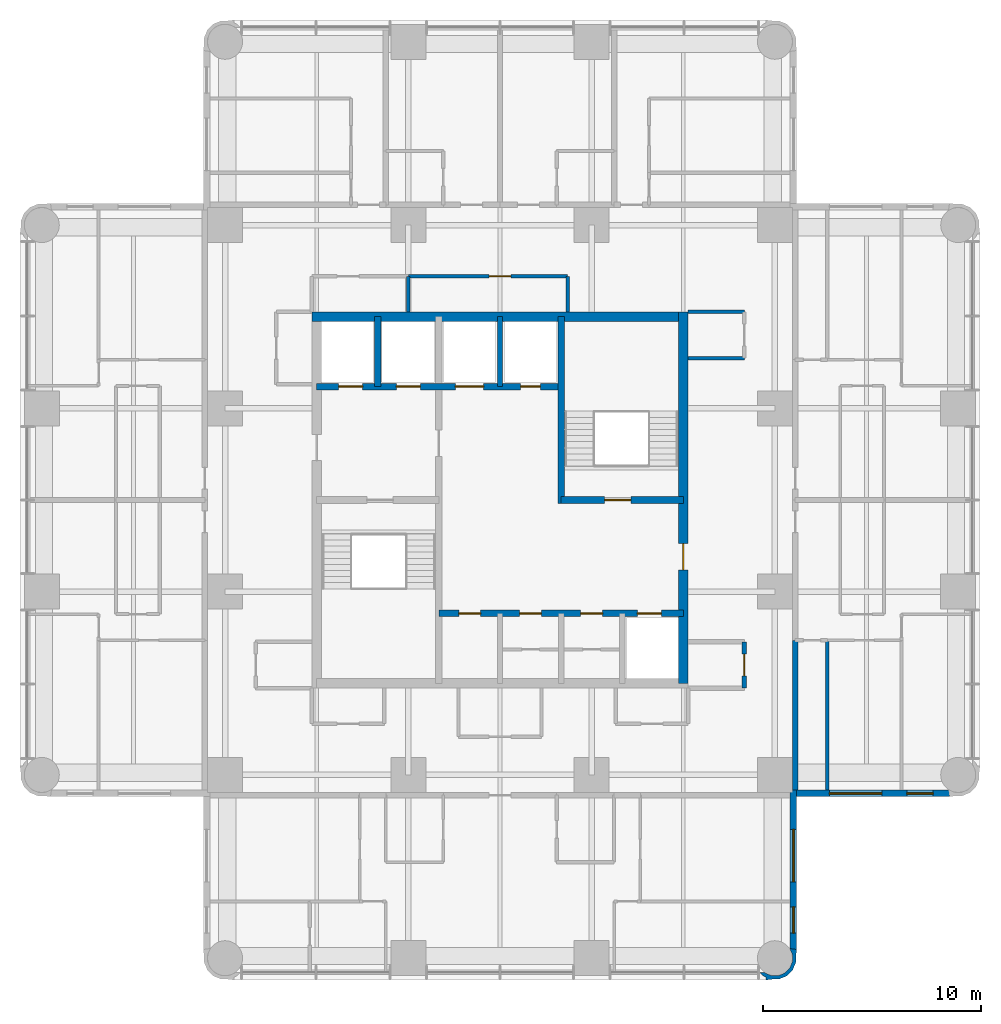
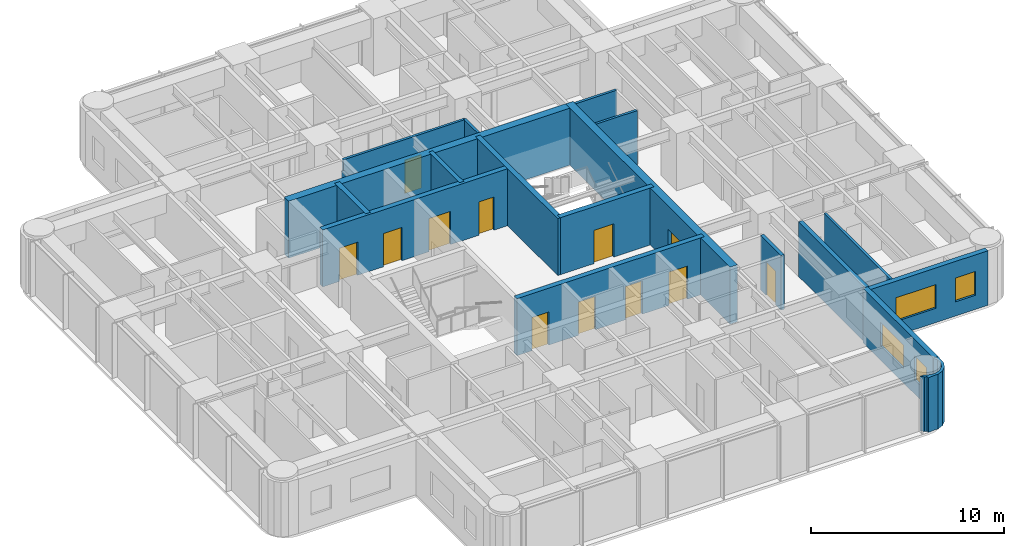
# One storey, part 6 of 10: 19 walls, 12 doors, 4 windows, 16 openings.
"""IFC4 building model written with IfcOpenShell, lengths in metres."""

from ifc_helpers import new_model, si_unit, direction, frame, frame_2d, origin, place, context, subcontext, project, spatial, polyline, rectangle, outline, extrude, material, layer, layer_set, type_object, element, fill, save


model = new_model("IFC4")

# Units and contexts
model_context = context("Model", 3, precision=1e-05, world=origin(), true_north=direction((0.0, 1.0)))
body_context = subcontext(model_context, "Body", "Model", "MODEL_VIEW")
ifc_project = project(units=[si_unit("LENGTHUNIT", "METRE"), si_unit("AREAUNIT", "SQUARE_METRE"), si_unit("VOLUMEUNIT", "CUBIC_METRE"), si_unit("PLANEANGLEUNIT", "RADIAN"), si_unit("MASSUNIT", "GRAM", prefix="KILO")], contexts=[model_context])

# Site, building, storey
site_placement = place(None, origin())
site = spatial("IfcSite", under=ifc_project, at=site_placement, CompositionType="ELEMENT")
building_placement = place(site_placement, origin())
building = spatial("IfcBuilding", under=site, at=building_placement, Name="Torre Alcanfor", CompositionType="ELEMENT")
storey_placement = place(building_placement, frame((0.0, 0.0, 257.699951171875)))
storey = spatial("IfcBuildingStorey", under=building, at=storey_placement, Name="L67", CompositionType="ELEMENT", Elevation=257.699951171875)

# Wall
ifc_material_1 = material(Name="Concrete block masonry, hollow blocks NMX-C-404 9 MPa", Category="masonry")
ifc_layer_1 = layer(ifc_material_1, 0.25)
ifc_layer_set_1 = layer_set([ifc_layer_1], Name="Apartment entrance wall 250 EI 60")
wall_type_1 = type_object("IfcWallType", Name="Apartment entrance wall 250 EI 60", PredefinedType="PARTITIONING", material=ifc_layer_set_1)
wall_1_placement = place(storey_placement, frame((42.925048828125, 22.970947265625, 0.0), z_axis=(0.0, 0.0, 1.0), x_axis=(0.0, -1.0, 0.0)))
element("IfcWall", 1, at=wall_1_placement, inside=storey, type_object=wall_type_1, Name="Partition L67-CORR / L67-E2-BATH", PredefinedType="PARTITIONING", context=body_context, shape_type="SweptSolid", body=[
    extrude(rectangle(XDim=6.870849609375, YDim=0.25, at=frame_2d((3.435546875, 0.0))), origin(), (0.0, 0.0, 1.0), 3.449951171875),
])

# Wall, openings, doors
ifc_material_2 = material(Name="Concrete f'c 70 MPa", Category="concrete")
ifc_layer_2 = layer(ifc_material_2, 0.300048828125)
ifc_layer_set_2 = layer_set([ifc_layer_2], Name="Core inner wall 300 f'c70")
wall_type_2 = type_object("IfcWallType", Name="Core inner wall 300 f'c70", PredefinedType="SHEAR", material=ifc_layer_set_2)
wall_2_placement = place(storey_placement, frame((21.0, 34.60009765625, 0.0), z_axis=(0.0, 0.0, 1.0), x_axis=(1.0, 0.0, 0.0)))
wall_2 = element("IfcWall", 2, at=wall_2_placement, inside=storey, type_object=wall_type_2, Name="Core wall Y346 L67", PredefinedType="SHEAR", context=body_context, shape_type="SweptSolid", body=[
    extrude(rectangle(XDim=11.199951171875, YDim=0.300048828125, at=frame_2d((5.60009765625, 0.0))), origin(), (0.0, 0.0, 1.0), 3.60009765625),
])
opening_1_placement = place(wall_2_placement, frame((9.35009765625, 0.0, 0.0)))
opening_1 = element("IfcOpeningElement", 3, at=opening_1_placement, cuts=wall_2, Name="Opening D-Q1", PredefinedType="OPENING", context=body_context, shape_type="SweptSolid", body=[
    extrude(rectangle(XDim=0.89990234375, YDim=2.10009765625, at=frame_2d((0.449951171875, 1.050048828125))), frame((0.0, 0.159912109375, 0.0), z_axis=(0.0, -1.0, 0.0), x_axis=(1.0, 0.0, 0.0)), (0.0, 0.0, 1.0), 0.320068359375),
])
opening_2_placement = place(wall_2_placement, frame((1.0, 0.0, 0.0)))
opening_2 = element("IfcOpeningElement", 4, at=opening_2_placement, cuts=wall_2, Name="Opening LD2", PredefinedType="OPENING", context=body_context, shape_type="SweptSolid", body=[
    extrude(rectangle(XDim=1.10009765625, YDim=2.10009765625, at=frame_2d((0.550048828125, 1.050048828125))), frame((0.0, 0.159912109375, 0.0), z_axis=(0.0, -1.0, 0.0), x_axis=(1.0, 0.0, 0.0)), (0.0, 0.0, 1.0), 0.320068359375),
])
opening_3_placement = place(wall_2_placement, frame((3.64990234375, 0.0, 0.0)))
opening_3 = element("IfcOpeningElement", 5, at=opening_3_placement, cuts=wall_2, Name="Opening LD2", PredefinedType="OPENING", context=body_context, shape_type="SweptSolid", body=[
    extrude(rectangle(XDim=1.10009765625, YDim=2.10009765625, at=frame_2d((0.550048828125, 1.050048828125))), frame((0.0, 0.159912109375, 0.0), z_axis=(0.0, -1.0, 0.0), x_axis=(1.0, 0.0, 0.0)), (0.0, 0.0, 1.0), 0.320068359375),
])
opening_4_placement = place(wall_2_placement, frame((6.35009765625, 0.0, 0.0)))
opening_4 = element("IfcOpeningElement", 6, at=opening_4_placement, cuts=wall_2, Name="Opening LD3", PredefinedType="OPENING", context=body_context, shape_type="SweptSolid", body=[
    extrude(rectangle(XDim=1.300048828125, YDim=2.10009765625, at=frame_2d((0.64990234375, 1.050048828125))), frame((0.0, 0.159912109375, 0.0), z_axis=(0.0, -1.0, 0.0), x_axis=(1.0, 0.0, 0.0)), (0.0, 0.0, 1.0), 0.320068359375),
])
ifc_material_3 = material(Name="Galvanised steel sheet ASTM A653", Category="steel")
door_type_1 = type_object("IfcDoorType", Name="Firefighting lift landing door 1100x2100", OperationType="DOUBLE_DOOR_SLIDING", PredefinedType="DOOR", material=ifc_material_3)
door_1_placement = place(opening_2_placement, origin())
door_1 = element("IfcDoor", 7, at=door_1_placement, inside=storey, type_object=door_type_1, Name="Lift landing door FL1 L67", OperationType="DOUBLE_DOOR_SLIDING", OverallHeight=2.10009765625, OverallWidth=1.10009765625, PredefinedType="DOOR", context=body_context, shape_type="SweptSolid", body=[
    extrude(rectangle(XDim=1.10009765625, YDim=2.10009765625, at=frame_2d((0.550048828125, 1.050048828125))), frame((0.0, 0.02490234375, 0.0), z_axis=(0.0, -1.0, 0.0), x_axis=(1.0, 0.0, 0.0)), (0.0, 0.0, 1.0), 0.050048828125),
])
fill(opening_2, door_1)
door_2_placement = place(opening_3_placement, origin())
door_2 = element("IfcDoor", 8, at=door_2_placement, inside=storey, type_object=door_type_1, Name="Lift landing door FL2 L67", OperationType="DOUBLE_DOOR_SLIDING", OverallHeight=2.10009765625, OverallWidth=1.10009765625, PredefinedType="DOOR", context=body_context, shape_type="SweptSolid", body=[
    extrude(rectangle(XDim=1.10009765625, YDim=2.10009765625, at=frame_2d((0.550048828125, 1.050048828125))), frame((0.0, 0.02490234375, 0.0), z_axis=(0.0, -1.0, 0.0), x_axis=(1.0, 0.0, 0.0)), (0.0, 0.0, 1.0), 0.050048828125),
])
fill(opening_3, door_2)
ifc_material_4 = material(Name="Galvanised steel sheet ASTM A653", Category="steel")
door_type_2 = type_object("IfcDoorType", Name="Riser access door FD120 900x2100", OperationType="SINGLE_SWING_LEFT", PredefinedType="DOOR", material=ifc_material_4)
door_3_placement = place(opening_1_placement, origin())
door_3 = element("IfcDoor", 9, at=door_3_placement, inside=storey, type_object=door_type_2, Name="Riser door L67", OperationType="SINGLE_SWING_LEFT", OverallHeight=2.10009765625, OverallWidth=0.89990234375, PredefinedType="DOOR", context=body_context, shape_type="SweptSolid", body=[
    extrude(rectangle(XDim=0.89990234375, YDim=2.10009765625, at=frame_2d((0.449951171875, 1.050048828125))), frame((0.0, 0.02490234375, 0.0), z_axis=(0.0, -1.0, 0.0), x_axis=(1.0, 0.0, 0.0)), (0.0, 0.0, 1.0), 0.050048828125),
])
fill(opening_1, door_3)
ifc_material_5 = material(Name="Galvanised steel sheet ASTM A653", Category="steel")
door_type_3 = type_object("IfcDoorType", Name="Service lift landing door 1300x2100", OperationType="DOUBLE_DOOR_SLIDING", PredefinedType="DOOR", material=ifc_material_5)
door_4_placement = place(opening_4_placement, origin())
door_4 = element("IfcDoor", 10, at=door_4_placement, inside=storey, type_object=door_type_3, Name="Lift landing door SL1 L67", OperationType="DOUBLE_DOOR_SLIDING", OverallHeight=2.10009765625, OverallWidth=1.300048828125, PredefinedType="DOOR", context=body_context, shape_type="SweptSolid", body=[
    extrude(rectangle(XDim=1.300048828125, YDim=2.10009765625, at=frame_2d((0.64990234375, 1.050048828125))), frame((0.0, 0.02490234375, 0.0), z_axis=(0.0, -1.0, 0.0), x_axis=(1.0, 0.0, 0.0)), (0.0, 0.0, 1.0), 0.050048828125),
])
fill(opening_4, door_4)

# Wall
wall_3_placement = place(storey_placement, frame((23.800048828125, 34.60009765625, 0.0), z_axis=(0.0, 0.0, 1.0), x_axis=(0.0, 1.0, 0.0)))
element("IfcWall", 11, at=wall_3_placement, inside=storey, type_object=wall_type_2, Name="Core wall X238 L67", PredefinedType="SHEAR", context=body_context, shape_type="SweptSolid", body=[
    extrude(rectangle(XDim=3.199951171875, YDim=0.300048828125, at=frame_2d((1.60009765625, 0.0))), origin(), (0.0, 0.0, 1.0), 3.60009765625),
])

# Wall, openings, doors
wall_4_placement = place(storey_placement, frame((26.60009765625, 24.199951171875, 0.0), z_axis=(0.0, 0.0, 1.0), x_axis=(1.0, 0.0, 0.0)))
wall_4 = element("IfcWall", 12, at=wall_4_placement, inside=storey, type_object=wall_type_2, Name="Core wall Y242 L67", PredefinedType="SHEAR", context=body_context, shape_type="SweptSolid", body=[
    extrude(rectangle(XDim=11.199951171875, YDim=0.300048828125, at=frame_2d((5.60009765625, 0.0))), origin(), (0.0, 0.0, 1.0), 3.60009765625),
])
opening_5_placement = place(wall_4_placement, frame((0.91259765625, 0.0, 0.0)))
opening_5 = element("IfcOpeningElement", 13, at=opening_5_placement, cuts=wall_4, Name="Opening D-K1", PredefinedType="OPENING", context=body_context, shape_type="SweptSolid", body=[
    extrude(rectangle(XDim=1.0, YDim=2.10009765625, at=frame_2d((0.5, 1.050048828125))), frame((0.0, 0.159912109375, 0.0), z_axis=(0.0, -1.0, 0.0), x_axis=(1.0, 0.0, 0.0)), (0.0, 0.0, 1.0), 0.320068359375),
])
opening_6_placement = place(wall_4_placement, frame((3.699951171875, 0.0, 0.0)))
opening_6 = element("IfcOpeningElement", 14, at=opening_6_placement, cuts=wall_4, Name="Opening D-K1", PredefinedType="OPENING", context=body_context, shape_type="SweptSolid", body=[
    extrude(rectangle(XDim=1.0, YDim=2.10009765625, at=frame_2d((0.5, 1.050048828125))), frame((0.0, 0.159912109375, 0.0), z_axis=(0.0, -1.0, 0.0), x_axis=(1.0, 0.0, 0.0)), (0.0, 0.0, 1.0), 0.320068359375),
])
opening_7_placement = place(wall_4_placement, frame((6.5, 0.0, 0.0)))
opening_7 = element("IfcOpeningElement", 15, at=opening_7_placement, cuts=wall_4, Name="Opening D-K1", PredefinedType="OPENING", context=body_context, shape_type="SweptSolid", body=[
    extrude(rectangle(XDim=1.0, YDim=2.10009765625, at=frame_2d((0.5, 1.050048828125))), frame((0.0, 0.159912109375, 0.0), z_axis=(0.0, -1.0, 0.0), x_axis=(1.0, 0.0, 0.0)), (0.0, 0.0, 1.0), 0.320068359375),
])
opening_8_placement = place(wall_4_placement, frame((9.10009765625, 0.0, 0.0)))
opening_8 = element("IfcOpeningElement", 16, at=opening_8_placement, cuts=wall_4, Name="Opening LD1", PredefinedType="OPENING", context=body_context, shape_type="SweptSolid", body=[
    extrude(rectangle(XDim=1.10009765625, YDim=2.10009765625, at=frame_2d((0.550048828125, 1.050048828125))), frame((0.0, 0.159912109375, 0.0), z_axis=(0.0, -1.0, 0.0), x_axis=(1.0, 0.0, 0.0)), (0.0, 0.0, 1.0), 0.320068359375),
])
ifc_material_6 = material(Name="Galvanised steel sheet ASTM A653", Category="steel")
door_type_4 = type_object("IfcDoorType", Name="Core room door FD60 1000x2100", OperationType="SINGLE_SWING_LEFT", PredefinedType="DOOR", material=ifc_material_6)
door_5_placement = place(opening_5_placement, frame((1.0, 0.0, 0.0), z_axis=(0.0, 0.0, 1.0), x_axis=(-1.0, 0.0, 0.0)))
door_5 = element("IfcDoor", 17, at=door_5_placement, inside=storey, type_object=door_type_4, Name="Housekeeping store door L67", OperationType="SINGLE_SWING_RIGHT", OverallHeight=2.10009765625, OverallWidth=1.0, PredefinedType="DOOR", context=body_context, shape_type="SweptSolid", body=[
    extrude(rectangle(XDim=1.0, YDim=2.10009765625, at=frame_2d((0.5, 1.050048828125))), frame((0.0, 0.025146484375, 0.0), z_axis=(0.0, -1.0, 0.0), x_axis=(1.0, 0.0, 0.0)), (0.0, 0.0, 1.0), 0.050048828125),
])
fill(opening_5, door_5)
door_6_placement = place(opening_6_placement, frame((1.0, 0.0, 0.0), z_axis=(0.0, 0.0, 1.0), x_axis=(-1.0, 0.0, 0.0)))
door_6 = element("IfcDoor", 18, at=door_6_placement, inside=storey, type_object=door_type_4, Name="Staff WC door L67", OperationType="SINGLE_SWING_RIGHT", OverallHeight=2.10009765625, OverallWidth=1.0, PredefinedType="DOOR", context=body_context, shape_type="SweptSolid", body=[
    extrude(rectangle(XDim=1.0, YDim=2.10009765625, at=frame_2d((0.5, 1.050048828125))), frame((0.0, 0.025146484375, 0.0), z_axis=(0.0, -1.0, 0.0), x_axis=(1.0, 0.0, 0.0)), (0.0, 0.0, 1.0), 0.050048828125),
])
fill(opening_6, door_6)
door_7_placement = place(opening_7_placement, frame((1.0, 0.0, 0.0), z_axis=(0.0, 0.0, 1.0), x_axis=(-1.0, 0.0, 0.0)))
door_7 = element("IfcDoor", 19, at=door_7_placement, inside=storey, type_object=door_type_4, Name="Residents' storage door L67", OperationType="SINGLE_SWING_RIGHT", OverallHeight=2.10009765625, OverallWidth=1.0, PredefinedType="DOOR", context=body_context, shape_type="SweptSolid", body=[
    extrude(rectangle(XDim=1.0, YDim=2.10009765625, at=frame_2d((0.5, 1.050048828125))), frame((0.0, 0.025146484375, 0.0), z_axis=(0.0, -1.0, 0.0), x_axis=(1.0, 0.0, 0.0)), (0.0, 0.0, 1.0), 0.050048828125),
])
fill(opening_7, door_7)
ifc_material_7 = material(Name="Galvanised steel sheet ASTM A653", Category="steel")
door_type_5 = type_object("IfcDoorType", Name="Lift landing door 1100x2100", OperationType="DOUBLE_DOOR_SLIDING", PredefinedType="DOOR", material=ifc_material_7)
door_8_placement = place(opening_8_placement, origin())
door_8 = element("IfcDoor", 20, at=door_8_placement, inside=storey, type_object=door_type_5, Name="Lift landing door PA4 L67", OperationType="DOUBLE_DOOR_SLIDING", OverallHeight=2.10009765625, OverallWidth=1.10009765625, PredefinedType="DOOR", context=body_context, shape_type="SweptSolid", body=[
    extrude(rectangle(XDim=1.10009765625, YDim=2.10009765625, at=frame_2d((0.550048828125, 1.050048828125))), frame((0.0, 0.02490234375, 0.0), z_axis=(0.0, -1.0, 0.0), x_axis=(1.0, 0.0, 0.0)), (0.0, 0.0, 1.0), 0.050048828125),
])
fill(opening_8, door_8)

# Wall
wall_5_placement = place(storey_placement, frame((32.199951171875, 29.25, 0.0), z_axis=(0.0, 0.0, 1.0), x_axis=(0.0, 1.0, 0.0)))
element("IfcWall", 21, at=wall_5_placement, inside=storey, type_object=wall_type_2, Name="Core wall X322N L67", PredefinedType="SHEAR", context=body_context, shape_type="SweptSolid", body=[
    extrude(rectangle(XDim=8.550048828125, YDim=0.300048828125, at=frame_2d((4.27490234375, 0.0))), origin(), (0.0, 0.0, 1.0), 3.60009765625),
])

# Wall, opening, door
wall_6_placement = place(storey_placement, frame((32.199951171875, 29.39990234375, 0.0), z_axis=(0.0, 0.0, 1.0), x_axis=(1.0, 0.0, 0.0)))
wall_6 = element("IfcWall", 22, at=wall_6_placement, inside=storey, type_object=wall_type_2, Name="Core wall Y294E L67", PredefinedType="SHEAR", context=body_context, shape_type="SweptSolid", body=[
    extrude(rectangle(XDim=5.60009765625, YDim=0.300048828125, at=frame_2d((2.800048828125, 0.0))), origin(), (0.0, 0.0, 1.0), 3.60009765625),
])
opening_9_placement = place(wall_6_placement, frame((2.0, 0.0, 0.0)))
opening_9 = element("IfcOpeningElement", 23, at=opening_9_placement, cuts=wall_6, Name="Opening D-S2", PredefinedType="OPENING", context=body_context, shape_type="SweptSolid", body=[
    extrude(rectangle(XDim=1.199951171875, YDim=2.10009765625, at=frame_2d((0.60009765625, 1.050048828125))), frame((0.0, 0.159912109375, 0.0), z_axis=(0.0, -1.0, 0.0), x_axis=(1.0, 0.0, 0.0)), (0.0, 0.0, 1.0), 0.320068359375),
])
ifc_material_8 = material(Name="Galvanised steel sheet ASTM A653", Category="steel")
door_type_6 = type_object("IfcDoorType", Name="Stair enclosure door FD120 1200x2100", OperationType="SINGLE_SWING_LEFT", PredefinedType="DOOR", material=ifc_material_8)
door_9_placement = place(opening_9_placement, origin())
door_9 = element("IfcDoor", 24, at=door_9_placement, inside=storey, type_object=door_type_6, Name="Stair S2 door L67", OperationType="SINGLE_SWING_LEFT", OverallHeight=2.10009765625, OverallWidth=1.199951171875, PredefinedType="DOOR", context=body_context, shape_type="SweptSolid", body=[
    extrude(rectangle(XDim=1.199951171875, YDim=2.10009765625, at=frame_2d((0.60009765625, 1.050048828125))), frame((0.0, 0.02490234375, 0.0), z_axis=(0.0, -1.0, 0.0), x_axis=(1.0, 0.0, 0.0)), (0.0, 0.0, 1.0), 0.050048828125),
])
fill(opening_9, door_9)

# Wall
ifc_material_9 = material(Name="Concrete f'c 70 MPa", Category="concrete")
ifc_layer_3 = layer(ifc_material_9, 0.25)
ifc_layer_set_3 = layer_set([ifc_layer_3], Name="Core shaft wall 250 f'c70")
wall_type_3 = type_object("IfcWallType", Name="Core shaft wall 250 f'c70", PredefinedType="SHEAR", material=ifc_layer_set_3)
wall_7_placement = place(storey_placement, frame((29.39990234375, 34.60009765625, 0.0), z_axis=(0.0, 0.0, 1.0), x_axis=(0.0, 1.0, 0.0)))
element("IfcWall", 25, at=wall_7_placement, inside=storey, type_object=wall_type_3, Name="Core wall X294N L67", PredefinedType="SHEAR", context=body_context, shape_type="SweptSolid", body=[
    extrude(rectangle(XDim=3.199951171875, YDim=0.25, at=frame_2d((1.60009765625, 0.0))), origin(), (0.0, 0.0, 1.0), 3.60009765625),
])

# Wall, opening, door
ifc_material_10 = material(Name="Concrete f'c 70 MPa", Category="concrete")
ifc_layer_4 = layer(ifc_material_10, 0.449951171875)
ifc_layer_set_4 = layer_set([ifc_layer_4], Name="Core wall 450 f'c70")
wall_type_4 = type_object("IfcWallType", Name="Core wall 450 f'c70", PredefinedType="SHEAR", material=ifc_layer_set_4)
wall_8_placement = place(storey_placement, frame((37.800048828125, 21.0, 0.0), z_axis=(0.0, 0.0, 1.0), x_axis=(0.0, 1.0, 0.0)))
wall_8 = element("IfcWall", 26, at=wall_8_placement, inside=storey, type_object=wall_type_4, Name="Core wall OUT-E L67", PredefinedType="SHEAR", context=body_context, shape_type="SweptSolid", body=[
    extrude(rectangle(XDim=17.02490234375, YDim=0.449951171875, at=frame_2d((8.512451171875, 0.0))), origin(), (0.0, 0.0, 1.0), 3.60009765625),
])
opening_10_placement = place(wall_8_placement, frame((5.199951171875, 0.0, 0.0)))
opening_10 = element("IfcOpeningElement", 27, at=opening_10_placement, cuts=wall_8, Name="Opening D-L1", PredefinedType="OPENING", context=body_context, shape_type="SweptSolid", body=[
    extrude(rectangle(XDim=1.199951171875, YDim=2.10009765625, at=frame_2d((0.60009765625, 1.050048828125))), frame((0.0, 0.23486328125, 0.0), z_axis=(0.0, -1.0, 0.0), x_axis=(1.0, 0.0, 0.0)), (0.0, 0.0, 1.0), 0.469970703125),
])
ifc_material_11 = material(Name="Galvanised steel sheet ASTM A653", Category="steel")
door_type_7 = type_object("IfcDoorType", Name="Lobby door FD120 1200x2100", OperationType="SINGLE_SWING_LEFT", PredefinedType="DOOR", material=ifc_material_11)
door_10_placement = place(opening_10_placement, origin())
door_10 = element("IfcDoor", 28, at=door_10_placement, inside=storey, type_object=door_type_7, Name="Lift lobby entrance door L67", OperationType="SINGLE_SWING_LEFT", OverallHeight=2.10009765625, OverallWidth=1.199951171875, PredefinedType="DOOR", context=body_context, shape_type="SweptSolid", body=[
    extrude(rectangle(XDim=1.199951171875, YDim=2.10009765625, at=frame_2d((0.60009765625, 1.050048828125))), frame((0.0, 0.02490234375, 0.0), z_axis=(0.0, -1.0, 0.0), x_axis=(1.0, 0.0, 0.0)), (0.0, 0.0, 1.0), 0.050048828125),
])
fill(opening_10, door_10)

# Wall
wall_9_placement = place(storey_placement, frame((37.800048828125, 37.800048828125, 0.0), z_axis=(0.0, 0.0, 1.0), x_axis=(-1.0, 0.0, 0.0)))
element("IfcWall", 29, at=wall_9_placement, inside=storey, type_object=wall_type_4, Name="Core wall OUT-N L67", PredefinedType="SHEAR", context=body_context, shape_type="SweptSolid", body=[
    extrude(rectangle(XDim=17.025146484375, YDim=0.449951171875, at=frame_2d((8.5126953125, 0.0))), origin(), (0.0, 0.0, 1.0), 3.60009765625),
])

# Wall, openings, windows
ifc_material_12 = material(Name="Limestone cladding", Category="masonry")
ifc_layer_5 = layer(ifc_material_12, 0.0400390625, Name="Facing")
ifc_material_13 = material(Name="Ventilated air cavity")
ifc_layer_6 = layer(ifc_material_13, 0.02001953125, ventilated=True, Name="Ventilated joint")
ifc_material_14 = material(Name="Mineral wool insulation", Category="insulation")
ifc_layer_7 = layer(ifc_material_14, 0.10009765625, Name="Insulation")
ifc_material_15 = material(Name="Concrete f'c 35 MPa", Category="concrete")
ifc_layer_8 = layer(ifc_material_15, 0.139892578125, Name="Backing")
ifc_layer_set_5 = layer_set([ifc_layer_5, ifc_layer_6, ifc_layer_7, ifc_layer_8], Name="External wall stone-clad 300")
wall_type_5 = type_object("IfcWallType", Name="External wall stone-clad 300", PredefinedType="SOLIDWALL", material=ifc_layer_set_5)
wall_10_placement = place(storey_placement, frame((42.85009765625, 8.800048828125, 0.0), z_axis=(0.0, 0.0, 1.0), x_axis=(0.0, 1.0, 0.0)))
wall_10 = element("IfcWall", 30, at=wall_10_placement, inside=storey, type_object=wall_type_5, Name="External wall L67 6", PredefinedType="SOLIDWALL", context=body_context, shape_type="SweptSolid", body=[
    extrude(rectangle(XDim=7.300048828125, YDim=0.300048828125, at=frame_2d((3.64990234375, 0.0))), origin(), (0.0, 0.0, 1.0), 3.449951171875),
])
opening_11_placement = place(wall_10_placement, frame((3.10009765625, 0.0, 0.89990234375)))
opening_11 = element("IfcOpeningElement", 31, at=opening_11_placement, cuts=wall_10, Name="Opening W1", PredefinedType="OPENING", context=body_context, shape_type="SweptSolid", body=[
    extrude(rectangle(XDim=2.39990234375, YDim=1.5, at=frame_2d((1.199951171875, 0.75))), frame((0.0, 0.159912109375, 0.0), z_axis=(0.0, -1.0, 0.0), x_axis=(1.0, 0.0, 0.0)), (0.0, 0.0, 1.0), 0.320068359375),
])
opening_12_placement = place(wall_10_placement, frame((0.75, 0.0, 0.89990234375)))
opening_12 = element("IfcOpeningElement", 32, at=opening_12_placement, cuts=wall_10, Name="Opening W4", PredefinedType="OPENING", context=body_context, shape_type="SweptSolid", body=[
    extrude(rectangle(XDim=1.199951171875, YDim=1.5, at=frame_2d((0.60009765625, 0.75))), frame((0.0, 0.159912109375, 0.0), z_axis=(0.0, -1.0, 0.0), x_axis=(1.0, 0.0, 0.0)), (0.0, 0.0, 1.0), 0.320068359375),
])
ifc_material_16 = material(Name="Aluminium frame with clear double glazing", Category="aluminium")
window_type_1 = type_object("IfcWindowType", Name="Window bedroom 1200x1500", PartitioningType="SINGLE_PANEL", PredefinedType="WINDOW", material=ifc_material_16)
window_1_placement = place(opening_12_placement, origin())
window_1 = element("IfcWindow", 33, at=window_1_placement, inside=storey, type_object=window_type_1, Name="Window W4 L67-S1", OverallHeight=1.5, OverallWidth=1.199951171875, PartitioningType="SINGLE_PANEL", PredefinedType="WINDOW", context=body_context, shape_type="SweptSolid", body=[
    extrude(rectangle(XDim=1.199951171875, YDim=1.5, at=frame_2d((0.60009765625, 0.75))), frame((0.0, 0.030029296875, 0.0), z_axis=(0.0, -1.0, 0.0), x_axis=(1.0, 0.0, 0.0)), (0.0, 0.0, 1.0), 0.06005859375),
])
fill(opening_12, window_1)
ifc_material_17 = material(Name="Aluminium frame with clear double glazing", Category="aluminium")
window_type_2 = type_object("IfcWindowType", Name="Window bedroom 2400x1500", PartitioningType="SINGLE_PANEL", PredefinedType="WINDOW", material=ifc_material_17)
window_2_placement = place(opening_11_placement, origin())
window_2 = element("IfcWindow", 34, at=window_2_placement, inside=storey, type_object=window_type_2, Name="Window W1 L67-S1", OverallHeight=1.5, OverallWidth=2.39990234375, PartitioningType="SINGLE_PANEL", PredefinedType="WINDOW", context=body_context, shape_type="SweptSolid", body=[
    extrude(rectangle(XDim=2.39990234375, YDim=1.5, at=frame_2d((1.199951171875, 0.75))), frame((0.0, 0.030029296875, 0.0), z_axis=(0.0, -1.0, 0.0), x_axis=(1.0, 0.0, 0.0)), (0.0, 0.0, 1.0), 0.06005859375),
])
fill(opening_11, window_2)

wall_11_placement = place(storey_placement, frame((43.0, 15.949951171875, 0.0), z_axis=(0.0, 0.0, 1.0), x_axis=(1.0, 0.0, 0.0)))
wall_11 = element("IfcWall", 35, at=wall_11_placement, inside=storey, type_object=wall_type_5, Name="External wall L67 7", PredefinedType="SOLIDWALL", context=body_context, shape_type="SweptSolid", body=[
    extrude(rectangle(XDim=7.0, YDim=0.300048828125, at=frame_2d((3.5, 0.0))), origin(), (0.0, 0.0, 1.0), 3.449951171875),
])
opening_13_placement = place(wall_11_placement, frame((1.5, 0.0, 0.89990234375)))
opening_13 = element("IfcOpeningElement", 36, at=opening_13_placement, cuts=wall_11, Name="Opening W1", PredefinedType="OPENING", context=body_context, shape_type="SweptSolid", body=[
    extrude(rectangle(XDim=2.39990234375, YDim=1.5, at=frame_2d((1.199951171875, 0.75))), frame((0.0, 0.159912109375, 0.0), z_axis=(0.0, -1.0, 0.0), x_axis=(1.0, 0.0, 0.0)), (0.0, 0.0, 1.0), 0.320068359375),
])
opening_14_placement = place(wall_11_placement, frame((5.050048828125, 0.0, 0.89990234375)))
opening_14 = element("IfcOpeningElement", 37, at=opening_14_placement, cuts=wall_11, Name="Opening W4", PredefinedType="OPENING", context=body_context, shape_type="SweptSolid", body=[
    extrude(rectangle(XDim=1.199951171875, YDim=1.5, at=frame_2d((0.60009765625, 0.75))), frame((0.0, 0.159912109375, 0.0), z_axis=(0.0, -1.0, 0.0), x_axis=(1.0, 0.0, 0.0)), (0.0, 0.0, 1.0), 0.320068359375),
])
window_3_placement = place(opening_14_placement, origin())
window_3 = element("IfcWindow", 38, at=window_3_placement, inside=storey, type_object=window_type_1, Name="Window W4 L67-E2", OverallHeight=1.5, OverallWidth=1.199951171875, PartitioningType="SINGLE_PANEL", PredefinedType="WINDOW", context=body_context, shape_type="SweptSolid", body=[
    extrude(rectangle(XDim=1.199951171875, YDim=1.5, at=frame_2d((0.60009765625, 0.75))), frame((0.0, 0.030029296875, 0.0), z_axis=(0.0, -1.0, 0.0), x_axis=(1.0, 0.0, 0.0)), (0.0, 0.0, 1.0), 0.06005859375),
])
fill(opening_14, window_3)
window_4_placement = place(opening_13_placement, origin())
window_4 = element("IfcWindow", 39, at=window_4_placement, inside=storey, type_object=window_type_2, Name="Window W1 L67-E2", OverallHeight=1.5, OverallWidth=2.39990234375, PartitioningType="SINGLE_PANEL", PredefinedType="WINDOW", context=body_context, shape_type="SweptSolid", body=[
    extrude(rectangle(XDim=2.39990234375, YDim=1.5, at=frame_2d((1.199951171875, 0.75))), frame((0.0, 0.030029296875, 0.0), z_axis=(0.0, -1.0, 0.0), x_axis=(1.0, 0.0, 0.0)), (0.0, 0.0, 1.0), 0.06005859375),
])
fill(opening_13, window_4)

# Wall, opening, door
ifc_material_18 = material(Name="Concrete block masonry, hollow blocks NMX-C-404 9 MPa", Category="masonry")
ifc_layer_9 = layer(ifc_material_18, 0.199951171875)
ifc_layer_set_6 = layer_set([ifc_layer_9], Name="Plant room wall 200 EI 60")
wall_type_6 = type_object("IfcWallType", Name="Plant room wall 200 EI 60", PredefinedType="PARTITIONING", material=ifc_layer_set_6)
wall_12_placement = place(storey_placement, frame((40.60009765625, 20.77490234375, 0.0), z_axis=(0.0, 0.0, 1.0), x_axis=(0.0, 1.0, 0.0)))
wall_12 = element("IfcWall", 40, at=wall_12_placement, inside=storey, type_object=wall_type_6, Name="Partition L67-CORR / L67-G03", PredefinedType="PARTITIONING", context=body_context, shape_type="SweptSolid", body=[
    extrude(rectangle(XDim=2.125, YDim=0.199951171875, at=frame_2d((1.0625, 0.0))), origin(), (0.0, 0.0, 1.0), 3.449951171875),
])
opening_15_placement = place(wall_12_placement, frame((0.5625, 0.0, 0.0)))
opening_15 = element("IfcOpeningElement", 41, at=opening_15_placement, cuts=wall_12, Name="Opening D-K1", PredefinedType="OPENING", context=body_context, shape_type="SweptSolid", body=[
    extrude(rectangle(XDim=1.0, YDim=2.10009765625, at=frame_2d((0.5, 1.050048828125))), frame((0.0, 0.10986328125, 0.0), z_axis=(0.0, -1.0, 0.0), x_axis=(1.0, 0.0, 0.0)), (0.0, 0.0, 1.0), 0.219970703125),
])
door_11_placement = place(opening_15_placement, origin())
door_11 = element("IfcDoor", 42, at=door_11_placement, inside=storey, type_object=door_type_4, Name="Door L67-G03 refuse and recycling store", OperationType="SINGLE_SWING_LEFT", OverallHeight=2.10009765625, OverallWidth=1.0, PredefinedType="DOOR", context=body_context, shape_type="SweptSolid", body=[
    extrude(rectangle(XDim=1.0, YDim=2.10009765625, at=frame_2d((0.5, 1.050048828125))), frame((0.0, 0.02490234375, 0.0), z_axis=(0.0, -1.0, 0.0), x_axis=(1.0, 0.0, 0.0)), (0.0, 0.0, 1.0), 0.050048828125),
])
fill(opening_15, door_11)

# Wall
ifc_material_19 = material(Name="Concrete block masonry, hollow blocks NMX-C-404 9 MPa", Category="masonry")
ifc_layer_10 = layer(ifc_material_19, 0.14990234375)
ifc_layer_set_7 = layer_set([ifc_layer_10], Name="Residents' room partition 150")
wall_type_7 = type_object("IfcWallType", Name="Residents' room partition 150", PredefinedType="PARTITIONING", material=ifc_layer_set_7)
wall_13_placement = place(storey_placement, frame((32.5, 38.02490234375, 0.0), z_axis=(0.0, 0.0, 1.0), x_axis=(0.0, 1.0, 0.0)))
element("IfcWall", 43, at=wall_13_placement, inside=storey, type_object=wall_type_7, Name="Partition L67-CORR / L67-G02", PredefinedType="PARTITIONING", context=body_context, shape_type="SweptSolid", body=[
    extrude(rectangle(XDim=1.625, YDim=0.14990234375, at=frame_2d((0.8125, 0.0))), origin(), (0.0, 0.0, 1.0), 3.449951171875),
])

# Wall, opening, door
wall_14_placement = place(storey_placement, frame((32.5, 39.64990234375, 0.0), z_axis=(0.0, 0.0, 1.0), x_axis=(-1.0, 0.0, 0.0)))
wall_14 = element("IfcWall", 44, at=wall_14_placement, inside=storey, type_object=wall_type_7, Name="Partition L67-CORR / L67-G02", PredefinedType="PARTITIONING", context=body_context, shape_type="SweptSolid", body=[
    extrude(rectangle(XDim=7.300048828125, YDim=0.14990234375, at=frame_2d((3.64990234375, 0.0))), origin(), (0.0, 0.0, 1.0), 3.449951171875),
])
opening_16_placement = place(wall_14_placement, frame((2.60009765625, 0.0, 0.0)))
opening_16 = element("IfcOpeningElement", 45, at=opening_16_placement, cuts=wall_14, Name="Opening D-M1", PredefinedType="OPENING", context=body_context, shape_type="SweptSolid", body=[
    extrude(rectangle(XDim=1.0, YDim=2.10009765625, at=frame_2d((0.5, 1.050048828125))), frame((0.0, 0.0849609375, 0.0), z_axis=(0.0, -1.0, 0.0), x_axis=(1.0, 0.0, 0.0)), (0.0, 0.0, 1.0), 0.169921875),
])
ifc_material_20 = material(Name="Timber", Category="wood")
door_type_8 = type_object("IfcDoorType", Name="Residents' room door 1000x2100", OperationType="SINGLE_SWING_LEFT", PredefinedType="DOOR", material=ifc_material_20)
door_12_placement = place(opening_16_placement, origin())
door_12 = element("IfcDoor", 46, at=door_12_placement, inside=storey, type_object=door_type_8, Name="Door L67-G02 pram and wheelchair store", OperationType="SINGLE_SWING_LEFT", OverallHeight=2.10009765625, OverallWidth=1.0, PredefinedType="DOOR", context=body_context, shape_type="SweptSolid", body=[
    extrude(rectangle(XDim=1.0, YDim=2.10009765625, at=frame_2d((0.5, 1.050048828125))), frame((0.0, 0.02490234375, 0.0), z_axis=(0.0, -1.0, 0.0), x_axis=(1.0, 0.0, 0.0)), (0.0, 0.0, 1.0), 0.050048828125),
])
fill(opening_16, door_12)

# Walls
for number, where, z_axis, x_axis, name in (
    (47, (38.02490234375, 35.89990234375, 0.0), (0.0, 0.0, 1.0), (1.0, 0.0, 0.0), "Partition L67-CORR / L67-G04"),
    (48, (40.60009765625, 38.02490234375, 0.0), (0.0, 0.0, 1.0), (-1.0, 0.0, 0.0), "Partition L67-CORR / L67-G04"),
):
    element("IfcWall", number, at=place(storey_placement, frame(where, z_axis=z_axis, x_axis=x_axis)), inside=storey, type_object=wall_type_7, Name=name, PredefinedType="PARTITIONING", context=body_context, shape_type="SweptSolid", body=[
        extrude(rectangle(XDim=2.5751953125, YDim=0.14990234375, at=frame_2d((1.28759765625, 0.0))), origin(), (0.0, 0.0, 1.0), 3.449951171875),
    ])
wall_15_placement = place(storey_placement, frame((25.199951171875, 38.02490234375, 0.0), z_axis=(0.0, 0.0, 1.0), x_axis=(0.0, 1.0, 0.0)))
element("IfcWall", 49, at=wall_15_placement, inside=storey, type_object=wall_type_7, Name="Partition L67-G01 / L67-G02", PredefinedType="PARTITIONING", context=body_context, shape_type="SweptSolid", body=[
    extrude(rectangle(XDim=1.625, YDim=0.14990234375, at=frame_2d((0.8125, 0.0))), origin(), (0.0, 0.0, 1.0), 2.766845703125),
])
ifc_layer_11 = layer(ifc_material_12, 0.0400390625, Name="Facing")
ifc_layer_12 = layer(ifc_material_13, 0.02001953125, ventilated=True, Name="Ventilated joint")
ifc_layer_13 = layer(ifc_material_14, 0.10009765625, Name="Insulation")
ifc_layer_14 = layer(ifc_material_15, 0.139892578125, Name="Backing")
ifc_layer_set_8 = layer_set([ifc_layer_11, ifc_layer_12, ifc_layer_13, ifc_layer_14], Name="Rounded corner pier stone-clad 300")
wall_type_8 = type_object("IfcWallType", Name="Rounded corner pier stone-clad 300", PredefinedType="SOLIDWALL", material=ifc_layer_set_8)
wall_16_placement = place(storey_placement, frame((41.351928198, 7.804682488, 0.0), z_axis=(0.0, 0.0, 1.0), x_axis=(0.343276641956, -0.93923434088, 0.0)))
element("IfcWall", 50, at=wall_16_placement, inside=storey, type_object=wall_type_8, Name="Corner pier L67 16", PredefinedType="SOLIDWALL", context=body_context, shape_type="SweptSolid", body=[
    extrude(outline(polyline([(-0.3691376945080963, 1.8896116474277462), (-0.5092849006082865, 1.6213723434863179), (-0.4904818693699753, 1.614500106025285), (-0.47937395557818696, 1.6086207727425919), (-0.21134604487110653, 1.620093396259431), (0.08789731812884549, 1.5107242513003132), (0.3226193813038204, 1.29522875171589), (0.4568297522668325, 1.0059961170728082), (0.47018090116819644, 0.6876338955306306), (0.3608955639829935, 0.3886198377896824), (0.14540006439857034, 0.15389777461470747), (0.10805580570731482, 0.136354268630141), (0.030952653705484567, -0.07460656965335008), (0.24105149879401783, 0.023022242841209073), (0.33345144333490195, 0.12363819812835387), (0.46537419024986754, 0.09413770889727405), (0.5320249985235461, 0.39313792602006), (0.6305829406476248, 0.6628009106085226), (0.6143313238115743, 1.0443478664441104), (0.4534111053034037, 1.390650880852334), (0.17226586261802523, 1.6491069643028293), (-0.09739712197043726, 1.7476649064269079), (-0.3691376945080963, 1.8896116474277462)])), origin(), (0.0, 0.0, 1.0), 3.449951171875),
])
ifc_material_21 = material(Name="Cement board on steel studs", Category="steel")
ifc_layer_15 = layer(ifc_material_21, 0.14990234375)
ifc_layer_set_9 = layer_set([ifc_layer_15], Name="Wet area partition 150")
wall_type_9 = type_object("IfcWallType", Name="Wet area partition 150", PredefinedType="PARTITIONING", material=ifc_layer_set_9)
wall_17_placement = place(storey_placement, frame((44.39990234375, 22.970947265625, 0.0), z_axis=(0.0, 0.0, 1.0), x_axis=(0.0, -1.0, 0.0)))
element("IfcWall", 51, at=wall_17_placement, inside=storey, type_object=wall_type_9, Name="Partition L67-E2-BATH / L67-E2-STUDY", PredefinedType="PARTITIONING", context=body_context, shape_type="SweptSolid", body=[
    extrude(rectangle(XDim=6.870849609375, YDim=0.14990234375, at=frame_2d((3.435546875, 0.0))), origin(), (0.0, 0.0, 1.0), 3.449951171875),
])

save(model, "model.ifc")
